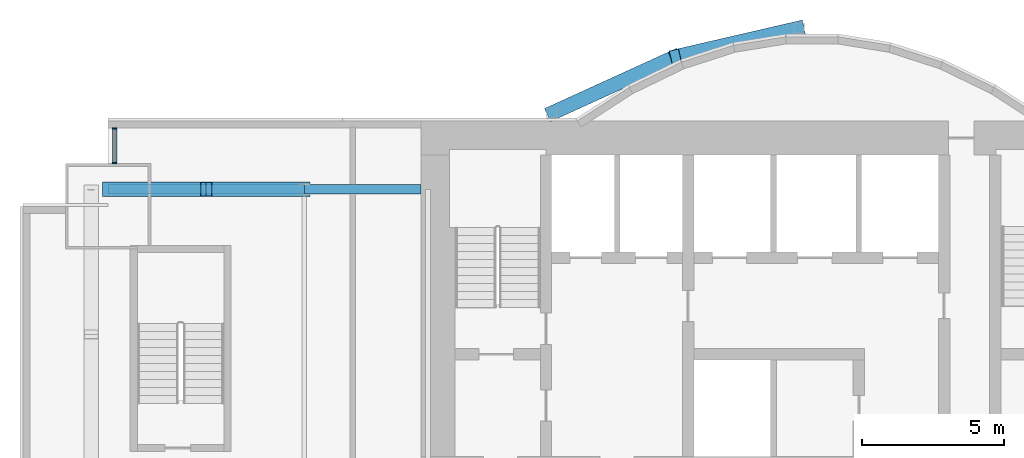
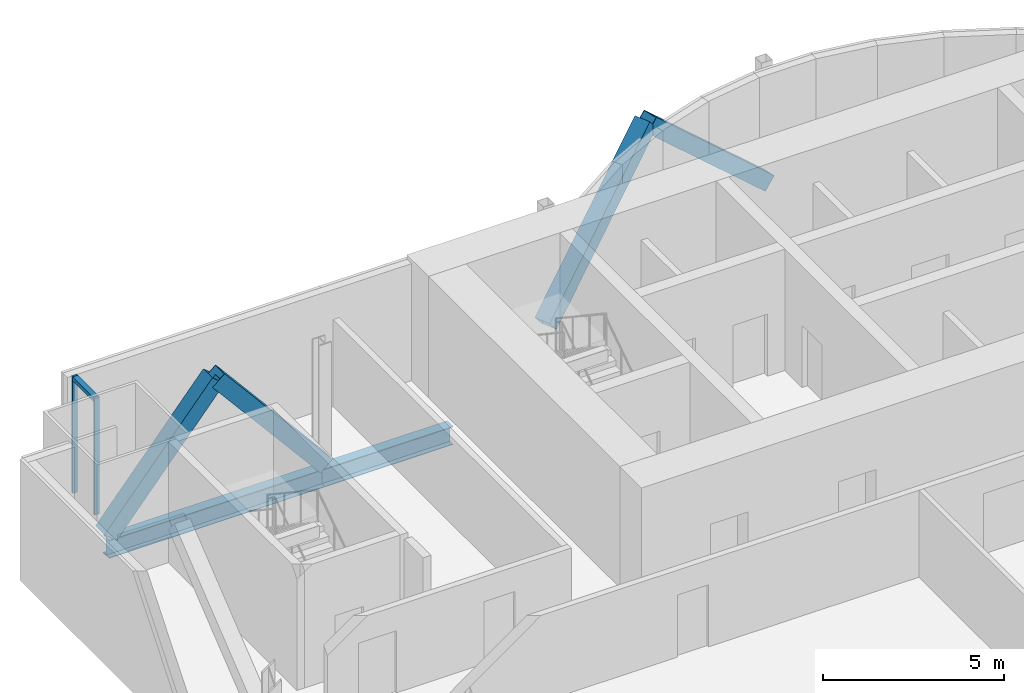
# One storey, part 10 of 21: 7 members, 2 beams, 1 element without a shape of its own.
"""IFC4 building model written with IfcOpenShell, lengths in metres."""

from ifc_helpers import new_model, si_unit, direction, frame, origin, origin_2d, place, context, subcontext, project, spatial, rectangle, hollow_rectangle, i_section, extrude, material, material_profile, profile_set, type_object, element, aggregate, save


model = new_model("IFC4")

# Units and contexts
model_context = context("Model", 3, precision=1e-05, world=origin(), true_north=direction((0.0, 1.0)))
body_context = subcontext(model_context, "Body", "Model", "MODEL_VIEW")
ifc_project = project(units=[si_unit("LENGTHUNIT", "METRE"), si_unit("AREAUNIT", "SQUARE_METRE"), si_unit("VOLUMEUNIT", "CUBIC_METRE"), si_unit("PLANEANGLEUNIT", "RADIAN"), si_unit("MASSUNIT", "GRAM", prefix="KILO")], contexts=[model_context])

# Site, building, storey
site_placement = place(None, origin())
site = spatial("IfcSite", under=ifc_project, at=site_placement, CompositionType="ELEMENT")
building_placement = place(site_placement, origin())
building = spatial("IfcBuilding", under=site, at=building_placement, Name="Bicima Exchange Tower", CompositionType="ELEMENT")
storey_placement = place(building_placement, frame((0.0, 0.0, 126.800048828125)))
storey = spatial("IfcBuildingStorey", under=building, at=storey_placement, Name="L27", CompositionType="ELEMENT", Elevation=126.800048828125)

# Curtain wall, members
ifc_material_1 = material(Name="Anodised bronze aluminium", Category="aluminium")
curtain_wall_type = type_object("IfcCurtainWallType", Name="Front glass wall", PredefinedType="NOTDEFINED", material=ifc_material_1)
curtain_wall_placement = place(storey_placement, origin())
curtain_wall = element("IfcCurtainWall", 1, at=curtain_wall_placement, inside=storey, type_object=curtain_wall_type, Name="Front glass wall L27 run 1", PredefinedType="NOTDEFINED")
ifc_material_profile_1 = material_profile(ifc_material_1, rectangle(XDim=0.159912109375, YDim=0.06005859375, at=origin_2d()))
ifc_profile_set_1 = profile_set([ifc_material_profile_1], Name="Anodised bronze aluminium")
member_type_1 = type_object("IfcMemberType", Name="Front glass wall mullion 60 x 160", PredefinedType="MULLION", material=ifc_profile_set_1)
member_1_placement = place(storey_placement, frame((-32.77001953125, -0.260009765625, 0.0), z_axis=(0.0, 0.0, 1.0), x_axis=(1.0, 0.0, 0.0)))
member_1 = element("IfcMember", 2, at=member_1_placement, type_object=member_type_1, Name="Front glass wall mullion 1", PredefinedType="MULLION", context=body_context, shape_type="SweptSolid", body=[
    extrude(rectangle(XDim=0.159912109375, YDim=0.06005859375, at=origin_2d()), origin(), (0.0, 0.0, 1.0), 3.949951171875),
])
member_2_placement = place(storey_placement, frame((-32.77001953125, -1.469970703125, 0.0), z_axis=(0.0, 0.0, 1.0), x_axis=(1.0, 0.0, 0.0)))
member_2 = element("IfcMember", 3, at=member_2_placement, type_object=member_type_1, Name="Front glass wall mullion 2", PredefinedType="MULLION", context=body_context, shape_type="SweptSolid", body=[
    extrude(rectangle(XDim=0.159912109375, YDim=0.06005859375, at=origin_2d()), origin(), (0.0, 0.0, 1.0), 3.949951171875),
])
ifc_material_profile_2 = material_profile(ifc_material_1, rectangle(XDim=0.159912109375, YDim=0.139892578125, at=origin_2d()))
ifc_profile_set_2 = profile_set([ifc_material_profile_2], Name="Anodised bronze aluminium")
member_type_2 = type_object("IfcMemberType", Name="Front glass wall transom 140 x 160", PredefinedType="USERDEFINED", material=ifc_profile_set_2)
member_3_placement = place(storey_placement, frame((-32.77001953125, -0.2900390625, 3.8798828125), z_axis=(0.0, -1.0, 0.0), x_axis=(1.0, 0.0, 0.0)))
member_3 = element("IfcMember", 4, at=member_3_placement, type_object=member_type_2, Name="Front glass wall transom 1.1", ObjectType="TRANSOM", PredefinedType="USERDEFINED", context=body_context, shape_type="SweptSolid", body=[
    extrude(rectangle(XDim=0.159912109375, YDim=0.139892578125, at=origin_2d()), origin(), (0.0, 0.0, 1.0), 1.14990234375),
])
aggregate(curtain_wall, [member_1, member_2, member_3])

# Members
ifc_material_2 = material(Name="Steel ASTM A572 Gr 50", Category="steel")
ifc_material_profile_3 = material_profile(ifc_material_2, hollow_rectangle(XDim=0.508056640625, YDim=0.508056640625, WallThickness=0.0146484375, at=origin_2d()))
ifc_profile_set_3 = profile_set([ifc_material_profile_3], Name="Steel ASTM A572 Gr 50")
member_type_3 = type_object("IfcMemberType", Name="Mega brace HSS20x20x5/8", PredefinedType="BRACE", material=ifc_profile_set_3)
member_4_placement = place(storey_placement, frame((-17.39990234375, 0.278076171875, 0.0), z_axis=(0.690646390594, 0.3150684101, 0.650952732629), x_axis=(-0.415045223819, 0.909800781592, 0.0)))
element("IfcMember", 5, at=member_4_placement, inside=storey, type_object=member_type_3, Name="Mega brace rexo", PredefinedType="BRACE", context=body_context, shape_type="SweptSolid", body=[
    extrude(hollow_rectangle(XDim=0.508056640625, YDim=0.508056640625, WallThickness=0.0146484375, at=origin_2d()), origin(), (0.0, 0.0, 1.0), 6.29833984375),
])
member_5_placement = place(storey_placement, frame((-8.699951171875, 3.26904296875, 0.0), z_axis=(-0.717625168184, -0.166055032463, 0.676342993002), x_axis=(0.225438503722, -0.974257399787, 0.0)))
element("IfcMember", 6, at=member_5_placement, inside=storey, type_object=member_type_3, Name="Mega brace rexo", PredefinedType="BRACE", context=body_context, shape_type="SweptSolid", body=[
    extrude(hollow_rectangle(XDim=0.508056640625, YDim=0.508056640625, WallThickness=0.0146484375, at=origin_2d()), origin(), (0.0, 0.0, 1.0), 6.061767578125),
])
for number, where, z_axis, x_axis, name in (
    (7, (-33.0, -2.39990234375, 0.0), (0.643856488545, 0.0, 0.765146275008), (0.0, 1.0, 0.0), "Mega brace rear"),
    (8, (-26.10009765625, -2.39990234375, 0.0), (-0.643856488545, 0.0, 0.765146275008), (0.0, -1.0, 0.0), "Mega brace rear"),
):
    element("IfcMember", number, at=place(storey_placement, frame(where, z_axis=z_axis, x_axis=x_axis)), inside=storey, type_object=member_type_3, Name=name, PredefinedType="BRACE", context=body_context, shape_type="SweptSolid", body=[
        extrude(hollow_rectangle(XDim=0.508056640625, YDim=0.508056640625, WallThickness=0.0146484375, at=origin_2d()), origin(), (0.0, 0.0, 1.0), 5.358154296875),
    ])

# Beams
ifc_material_3 = material(Name="Steel ASTM A992 Gr 50", Category="steel")
ifc_material_profile_4 = material_profile(ifc_material_3, i_section(OverallWidth=0.3251953125, OverallDepth=0.612060546875, WebThickness=0.0126953125, FlangeThickness=0.01904296875, at=origin_2d()))
ifc_profile_set_4 = profile_set([ifc_material_profile_4], Name="Steel ASTM A992 Gr 50")
beam_type = type_object("IfcBeamType", Name="Rear girder W24x104", PredefinedType="BEAM", material=ifc_profile_set_4)
beam_1_placement = place(storey_placement, frame((-22.0, -2.39990234375, -0.4560546875), z_axis=(-1.0, 0.0, 0.0), x_axis=(0.0, -1.0, 0.0)))
element("IfcBeam", 9, at=beam_1_placement, inside=storey, type_object=beam_type, Name="Rear girder", PredefinedType="BEAM", context=body_context, shape_type="SweptSolid", body=[
    extrude(i_section(OverallWidth=0.3251953125, OverallDepth=0.612060546875, WebThickness=0.0126953125, FlangeThickness=0.01904296875, at=origin_2d()), origin(), (0.0, 0.0, 1.0), 4.10009765625),
])
beam_2_placement = place(storey_placement, frame((-26.10009765625, -2.39990234375, -0.4560546875), z_axis=(-1.0, 0.0, 0.0), x_axis=(0.0, -1.0, 0.0)))
element("IfcBeam", 10, at=beam_2_placement, inside=storey, type_object=beam_type, Name="Rear girder", PredefinedType="BEAM", context=body_context, shape_type="SweptSolid", body=[
    extrude(i_section(OverallWidth=0.3251953125, OverallDepth=0.612060546875, WebThickness=0.0126953125, FlangeThickness=0.01904296875, at=origin_2d()), origin(), (0.0, 0.0, 1.0), 6.89990234375),
])

save(model, "model.ifc")
